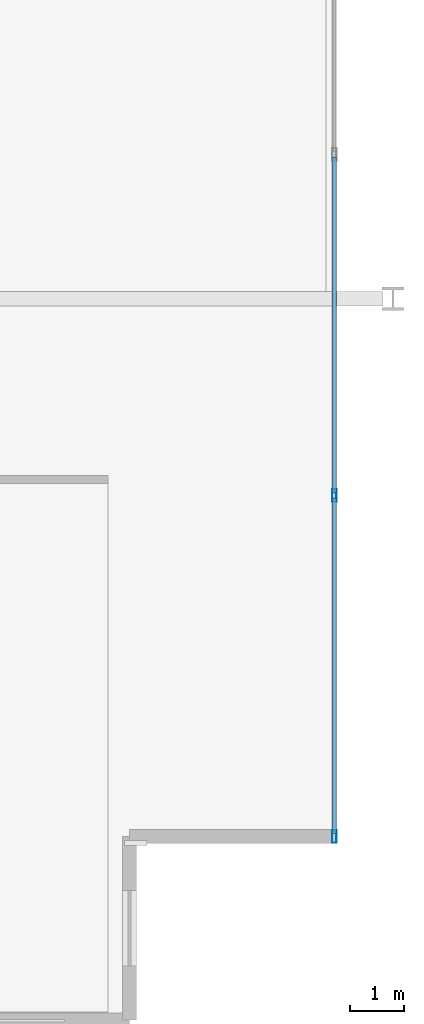
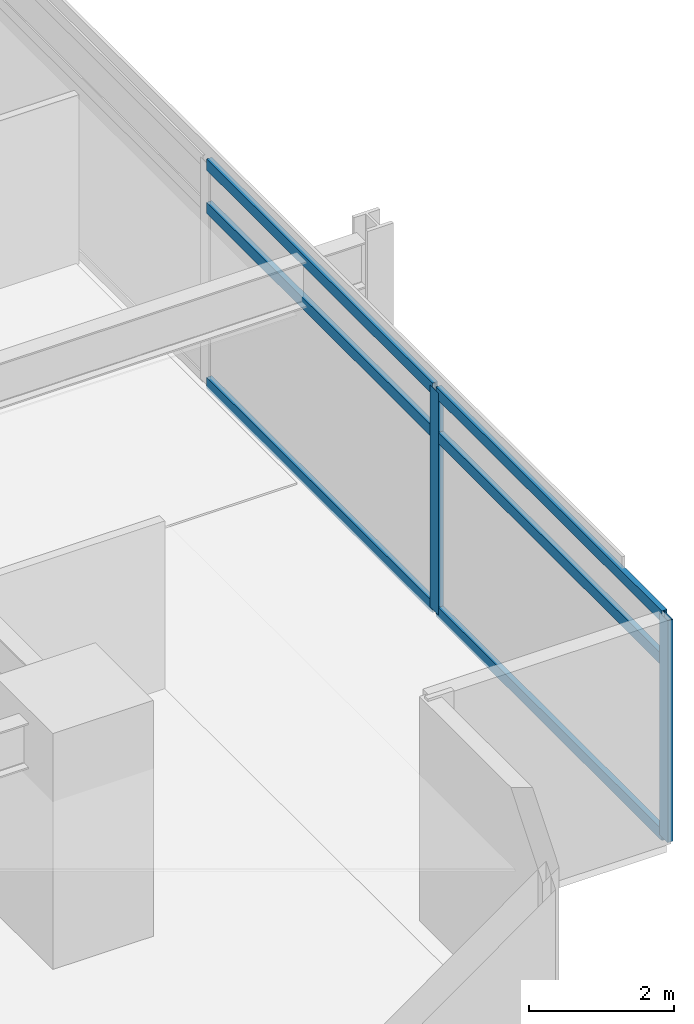
# One storey, part 2 of 24: 8 members, 1 element without a shape of its own.
"""IFC4 building model written with IfcOpenShell, lengths in metres."""

from ifc_helpers import new_model, si_unit, direction, frame, origin, origin_2d, place, context, subcontext, project, spatial, hollow_rectangle, extrude, material, material_profile, profile_set, type_object, element, aggregate, save


model = new_model("IFC4")

# Units and contexts
model_context = context("Model", 3, precision=1e-05, world=origin(), true_north=direction((0.0, 1.0)))
body_context = subcontext(model_context, "Body", "Model", "MODEL_VIEW")
ifc_project = project(units=[si_unit("LENGTHUNIT", "METRE"), si_unit("AREAUNIT", "SQUARE_METRE"), si_unit("VOLUMEUNIT", "CUBIC_METRE"), si_unit("PLANEANGLEUNIT", "RADIAN"), si_unit("MASSUNIT", "GRAM", prefix="KILO")], contexts=[model_context])

# Site, building, storey
site_placement = place(None, origin())
site = spatial("IfcSite", under=ifc_project, at=site_placement, CompositionType="ELEMENT")
building_placement = place(site_placement, origin())
building = spatial("IfcBuilding", under=site, at=building_placement, Name="Kovane Verandah Tower", CompositionType="ELEMENT")
storey_placement = place(building_placement, frame((0.0, 0.0, 144.39990234375)))
storey = spatial("IfcBuildingStorey", under=building, at=storey_placement, Name="L33", CompositionType="ELEMENT", Elevation=144.39990234375)

# Curtain wall, members
ifc_material_1 = material(Name="Champagne Anodised Aluminium Frame with Low-E Clear Laminated Glass", Category="aluminium")
curtain_wall_type = type_object("IfcCurtainWallType", Name="CW-SYS-03-MID", PredefinedType="NOTDEFINED", material=ifc_material_1)
curtain_wall_placement = place(storey_placement, origin())
curtain_wall = element("IfcCurtainWall", 1, at=curtain_wall_placement, inside=storey, type_object=curtain_wall_type, Name="L33 E Unitised Curtain Wall", PredefinedType="NOTDEFINED")
ifc_material_2 = material(Name="Champagne Anodised Aluminium 6063-T6", Category="aluminium")
ifc_material_profile_1 = material_profile(ifc_material_2, hollow_rectangle(XDim=0.0849609375, YDim=0.22998046875, WallThickness=0.00390625, at=origin_2d()), Name="AL85x230x4")
ifc_profile_set_1 = profile_set([ifc_material_profile_1], Name="Champagne Anodised Aluminium 6063-T6")
member_type_1 = type_object("IfcMemberType", Name="CW-MUL-85x230", PredefinedType="MULLION", material=ifc_profile_set_1)
member_1_placement = place(storey_placement, frame((66.513916015625, 8.52490234375, 0.02001953125), z_axis=(0.0, 0.0, 1.0), x_axis=(1.0, 0.0, 0.0)))
member_1 = element("IfcMember", 2, at=member_1_placement, type_object=member_type_1, Name="L33 E Unitised Curtain Wall Mullion 1", PredefinedType="MULLION", context=body_context, shape_type="SweptSolid", body=[
    extrude(hollow_rectangle(XDim=0.0849609375, YDim=0.22998046875, WallThickness=0.00390625, at=origin_2d()), origin(), (0.0, 0.0, 1.0), 3.735107421875),
])
member_2_placement = place(storey_placement, frame((66.513916015625, 14.85009765625, 0.02001953125), z_axis=(0.0, 0.0, 1.0), x_axis=(1.0, 0.0, 0.0)))
member_2 = element("IfcMember", 3, at=member_2_placement, type_object=member_type_1, Name="L33 E Unitised Curtain Wall Mullion 2", PredefinedType="MULLION", context=body_context, shape_type="SweptSolid", body=[
    extrude(hollow_rectangle(XDim=0.0849609375, YDim=0.22998046875, WallThickness=0.00390625, at=origin_2d()), origin(), (0.0, 0.0, 1.0), 3.735107421875),
])
ifc_material_profile_2 = material_profile(ifc_material_2, hollow_rectangle(XDim=0.0849609375, YDim=0.18994140625, WallThickness=0.00390625, at=origin_2d()), Name="AL85x190x4")
ifc_profile_set_2 = profile_set([ifc_material_profile_2], Name="Champagne Anodised Aluminium 6063-T6")
member_type_2 = type_object("IfcMemberType", Name="CW-TRN-85x190", PredefinedType="USERDEFINED", material=ifc_profile_set_2)
member_3_placement = place(storey_placement, frame((66.513916015625, 8.574951171875, 0.050048828125), z_axis=(0.0, 1.0, 0.0), x_axis=(-1.0, 0.0, 0.0)))
member_3 = element("IfcMember", 4, at=member_3_placement, type_object=member_type_2, Name="L33 E Unitised Curtain Wall Transom TB Bay 1", ObjectType="TRANSOM", PredefinedType="USERDEFINED", context=body_context, shape_type="SweptSolid", body=[
    extrude(hollow_rectangle(XDim=0.0849609375, YDim=0.18994140625, WallThickness=0.00390625, at=origin_2d()), origin(), (0.0, 0.0, 1.0), 6.22509765625),
])
member_4_placement = place(storey_placement, frame((66.513916015625, 8.574951171875, 2.9951171875), z_axis=(0.0, 1.0, 0.0), x_axis=(-1.0, 0.0, 0.0)))
member_4 = element("IfcMember", 5, at=member_4_placement, type_object=member_type_2, Name="L33 E Unitised Curtain Wall Transom TM Bay 1", ObjectType="TRANSOM", PredefinedType="USERDEFINED", context=body_context, shape_type="SweptSolid", body=[
    extrude(hollow_rectangle(XDim=0.0849609375, YDim=0.18994140625, WallThickness=0.00390625, at=origin_2d()), origin(), (0.0, 0.0, 1.0), 6.22509765625),
])
member_5_placement = place(storey_placement, frame((66.513916015625, 8.574951171875, 3.72509765625), z_axis=(0.0, 1.0, 0.0), x_axis=(-1.0, 0.0, 0.0)))
member_5 = element("IfcMember", 6, at=member_5_placement, type_object=member_type_2, Name="L33 E Unitised Curtain Wall Transom TT Bay 1", ObjectType="TRANSOM", PredefinedType="USERDEFINED", context=body_context, shape_type="SweptSolid", body=[
    extrude(hollow_rectangle(XDim=0.0849609375, YDim=0.18994140625, WallThickness=0.00390625, at=origin_2d()), origin(), (0.0, 0.0, 1.0), 6.22509765625),
])
member_6_placement = place(storey_placement, frame((66.513916015625, 14.89990234375, 0.050048828125), z_axis=(0.0, 1.0, 0.0), x_axis=(-1.0, 0.0, 0.0)))
member_6 = element("IfcMember", 7, at=member_6_placement, type_object=member_type_2, Name="L33 E Unitised Curtain Wall Transom TB Bay 2", ObjectType="TRANSOM", PredefinedType="USERDEFINED", context=body_context, shape_type="SweptSolid", body=[
    extrude(hollow_rectangle(XDim=0.0849609375, YDim=0.18994140625, WallThickness=0.00390625, at=origin_2d()), origin(), (0.0, 0.0, 1.0), 6.22509765625),
])
member_7_placement = place(storey_placement, frame((66.513916015625, 14.89990234375, 2.9951171875), z_axis=(0.0, 1.0, 0.0), x_axis=(-1.0, 0.0, 0.0)))
member_7 = element("IfcMember", 8, at=member_7_placement, type_object=member_type_2, Name="L33 E Unitised Curtain Wall Transom TM Bay 2", ObjectType="TRANSOM", PredefinedType="USERDEFINED", context=body_context, shape_type="SweptSolid", body=[
    extrude(hollow_rectangle(XDim=0.0849609375, YDim=0.18994140625, WallThickness=0.00390625, at=origin_2d()), origin(), (0.0, 0.0, 1.0), 6.22509765625),
])
member_8_placement = place(storey_placement, frame((66.513916015625, 14.89990234375, 3.72509765625), z_axis=(0.0, 1.0, 0.0), x_axis=(-1.0, 0.0, 0.0)))
member_8 = element("IfcMember", 9, at=member_8_placement, type_object=member_type_2, Name="L33 E Unitised Curtain Wall Transom TT Bay 2", ObjectType="TRANSOM", PredefinedType="USERDEFINED", context=body_context, shape_type="SweptSolid", body=[
    extrude(hollow_rectangle(XDim=0.0849609375, YDim=0.18994140625, WallThickness=0.00390625, at=origin_2d()), origin(), (0.0, 0.0, 1.0), 6.22509765625),
])
aggregate(curtain_wall, [member_1, member_2, member_3, member_4, member_5, member_6, member_7, member_8])

save(model, "model.ifc")
